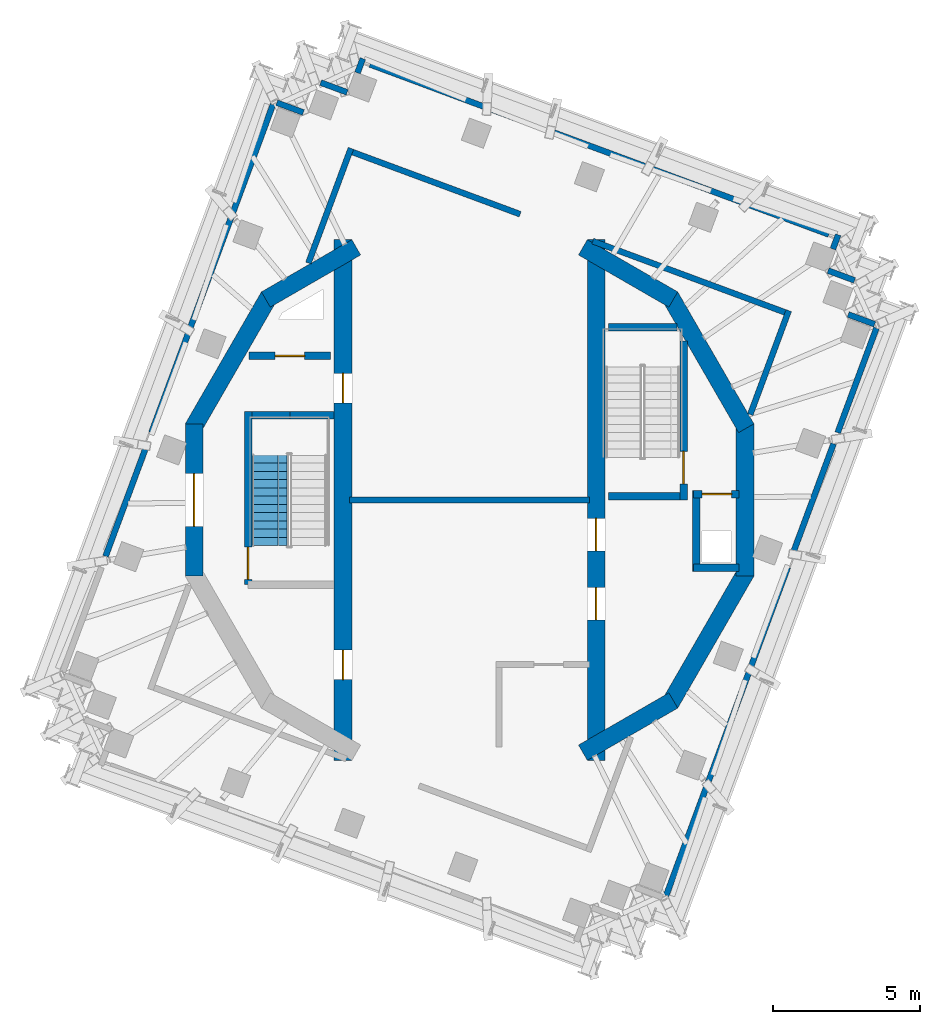
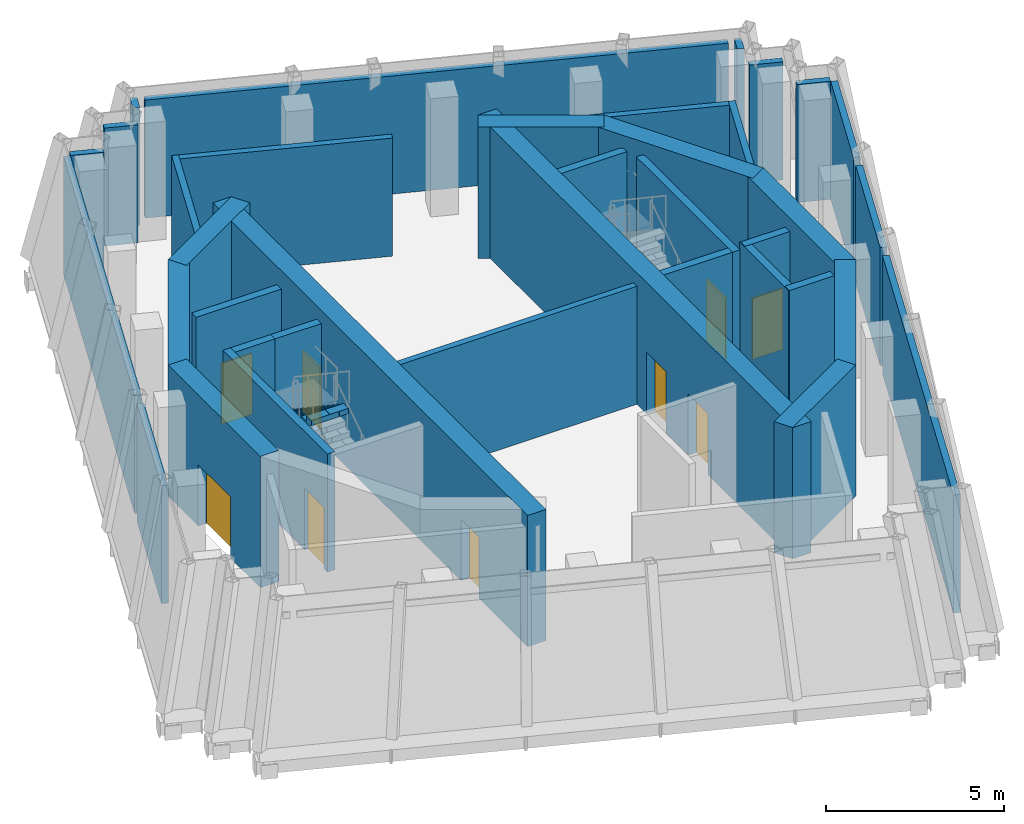
# One storey, part 5 of 11: 37 walls, 9 doors, 1 stair flight, 9 openings, 1 element without a shape of its own.
"""IFC4 building model written with IfcOpenShell, lengths in metres."""

import ifcopenshell
import ifcopenshell.guid

model = None  # the IFC model being written
_history = None  # IfcOwnerHistory: only IFC2X3 demands one
_inside = {}  # id of a spatial element -> (the spatial element, [elements in it])
_under = {}  # id of a project, library or spatial element -> (it, [spatial elements below it])
_declared = {}  # id of a project -> (the project, [libraries it declares])
_typed = {}  # id of a type object -> (the type object, [elements of that type])
_made_of = {}  # id of a material, layer set ... -> (it, [elements and type objects made of it])


def new_model(schema):
    """Start an empty IFC model of exactly this schema.

    Asked for "IFC4X3", IfcOpenShell would pick the latest addendum, in which some entities
    have other attributes; the version numbers below select the first issue.
    IFC2X3 requires an IfcOwnerHistory on every rooted entity: one is made here for all.
    """
    global model, _history
    if schema == "IFC4X3":
        model = ifcopenshell.file(schema_version=(4, 3, 0, 0))
    else:
        model = ifcopenshell.file(schema=schema)
    _inside.clear()
    _under.clear()
    _declared.clear()
    _typed.clear()
    _made_of.clear()
    _history = None
    if model.schema == "IFC2X3":
        org = make("IfcOrganization", Name="unknown")
        user = make(
            "IfcPersonAndOrganization",
            ThePerson=make("IfcPerson", FamilyName="unknown"),
            TheOrganization=org,
        )
        app = make(
            "IfcApplication",
            ApplicationDeveloper=org,
            Version="unknown",
            ApplicationFullName="unknown",
            ApplicationIdentifier="unknown",
        )
        _history = make(
            "IfcOwnerHistory",
            OwningUser=user,
            OwningApplication=app,
            ChangeAction="ADDED",
            CreationDate=0,
        )
    return model


def make(cls, **values):
    """One entity of the class cls with the attributes given. An attribute that is None is left unset."""
    return model.create_entity(
        cls, **{name: value for name, value in values.items() if value is not None}
    )


def rooted(cls, **values):
    """An entity with a GlobalId (a new one), such as an element, a storey or a relation."""
    return make(cls, GlobalId=ifcopenshell.guid.new(), OwnerHistory=_history, **values)


def si_unit(unit_type, name, prefix=None):
    """IfcSIUnit, for example si_unit("LENGTHUNIT", "METRE", prefix="MILLI")."""
    return make("IfcSIUnit", UnitType=unit_type, Prefix=prefix, Name=name)


def assignment(units):
    """IfcUnitAssignment: the units of a project."""
    return None if units is None else make("IfcUnitAssignment", Units=units)


def point(xyz):
    """IfcCartesianPoint."""
    return None if xyz is None else make("IfcCartesianPoint", Coordinates=xyz)


def direction(xyz):
    """IfcDirection."""
    return None if xyz is None else make("IfcDirection", DirectionRatios=xyz)


def frame(location, z_axis=None, x_axis=None):
    """IfcAxis2Placement3D, a coordinate frame: its origin and axes. An axis left out is left unset."""
    return make(
        "IfcAxis2Placement3D",
        Location=point(location),
        Axis=direction(z_axis),
        RefDirection=direction(x_axis),
    )


def frame_2d(location, x_axis=None):
    """IfcAxis2Placement2D, a coordinate frame in the plane: its origin and x axis."""
    return make(
        "IfcAxis2Placement2D", Location=point(location), RefDirection=direction(x_axis)
    )


def origin():
    """The frame at (0, 0, 0) with its axes left unset."""
    return frame((0.0, 0.0, 0.0))


def place(relative_to, where):
    """IfcLocalPlacement: puts the frame where relative to a parent placement (None: the world)."""
    return make(
        "IfcLocalPlacement", PlacementRelTo=relative_to, RelativePlacement=where
    )


def context(
    kind, dimensions, precision=None, world=None, true_north=None, identifier=None
):
    """IfcGeometricRepresentationContext, for example the 3D "Model" context."""
    return make(
        "IfcGeometricRepresentationContext",
        ContextIdentifier=identifier,
        ContextType=kind,
        CoordinateSpaceDimension=dimensions,
        Precision=precision,
        WorldCoordinateSystem=world,
        TrueNorth=true_north,
    )


def subcontext(parent, identifier, kind, view, scale=None):
    """IfcGeometricRepresentationSubContext, for example "Body" below "Model"."""
    return make(
        "IfcGeometricRepresentationSubContext",
        ContextIdentifier=identifier,
        ContextType=kind,
        ParentContext=parent,
        TargetScale=scale,
        TargetView=view,
    )


def project(units=None, contexts=None):
    """IfcProject with its units and contexts."""
    return rooted(
        "IfcProject",
        Name="project",
        RepresentationContexts=contexts,
        UnitsInContext=assignment(units),
    )


def spatial(cls, under=None, at=None, **own):
    """A site, building, storey or space (cls), placed at a placement, below another one or the project."""
    s = rooted(cls, ObjectPlacement=at, **own)
    if under is not None:
        _under.setdefault(under.id(), (under, []))[1].append(s)
    return s


def polyline(points):
    """IfcPolyline through the points."""
    return make("IfcPolyline", Points=[point(p) for p in points])


def profile(cls, at=None, kind="AREA", **sizes):
    """A parametric profile (cls). Its sizes go by their IFC names, for example OverallWidth=200.0."""
    return make(cls, ProfileType=kind, Position=at, **sizes)


def rectangle(**sizes):
    """IfcRectangleProfileDef."""
    return profile("IfcRectangleProfileDef", **sizes)


def outline(outer, holes=None, kind="AREA"):
    """IfcArbitraryClosedProfileDef: a profile drawn as a closed curve; with holes, ...WithVoids."""
    if holes is None:
        return make("IfcArbitraryClosedProfileDef", ProfileType=kind, OuterCurve=outer)
    return make(
        "IfcArbitraryProfileDefWithVoids",
        ProfileType=kind,
        OuterCurve=outer,
        InnerCurves=holes,
    )


def extrude(swept, where, along, depth):
    """IfcExtrudedAreaSolid: the profile swept, set in the frame where, extruded along a direction by depth."""
    return make(
        "IfcExtrudedAreaSolid",
        SweptArea=swept,
        Position=where,
        ExtrudedDirection=direction(along),
        Depth=depth,
    )


def shape(context_of_items, identifier, shape_type, items):
    """IfcShapeRepresentation: the items that make up one representation, for example the "Body"."""
    return make(
        "IfcShapeRepresentation",
        ContextOfItems=context_of_items,
        RepresentationIdentifier=identifier,
        RepresentationType=shape_type,
        Items=items,
    )


def material(Name=None, Category=None):
    """IfcMaterial."""
    return make("IfcMaterial", Name=Name, Category=Category)


def layer(
    of_material, thickness, ventilated=None, Name=None, Category=None, Priority=None
):
    """IfcMaterialLayer: one layer of a wall or slab, of a material (None: an air gap)."""
    return make(
        "IfcMaterialLayer",
        Material=of_material,
        LayerThickness=thickness,
        IsVentilated=ventilated,
        Name=Name,
        Category=Category,
        Priority=Priority,
    )


def layer_set(layers, Name=None):
    """IfcMaterialLayerSet."""
    return make("IfcMaterialLayerSet", MaterialLayers=layers, LayerSetName=Name)


def made_of(thing, what):
    """Note that an element or type object is made of a material, layer set ...; save() writes the relation."""
    if what is not None:
        _made_of.setdefault(what.id(), (what, []))[1].append(thing)
    return thing


def type_object(cls, material=None, **own):
    """A type object (cls), such as IfcWallType, which elements share."""
    return made_of(rooted(cls, **own), material)


def element(
    cls,
    number,
    at=None,
    inside=None,
    cuts=None,
    type_object=None,
    material=None,
    context=None,
    identifier="Body",
    shape_type=None,
    held_by="IfcProductDefinitionShape",
    body=None,
    shapes=None,
    **own,
):
    """One element of the class cls, such as IfcWall. Its Tag is "e" and its number.

    at: its placement. inside: the storey or other place that contains it. cuts: it is an
    opening in that element (IfcRelVoidsElement). A single representation is given by context,
    identifier, shape_type and body (its items); several are given by shapes. held_by: the class
    of the entity that holds the representations. save() writes the other relations.
    """
    e = rooted(cls, Tag="e%d" % number, ObjectPlacement=at, **own)
    if body is not None:
        shapes = [shape(context, identifier, shape_type, body)]
    if shapes is not None:
        e.Representation = make(held_by, Representations=shapes)
    if inside is not None:
        _inside.setdefault(inside.id(), (inside, []))[1].append(e)
    if cuts is not None:
        rooted(
            "IfcRelVoidsElement", RelatingBuildingElement=cuts, RelatedOpeningElement=e
        )
    if type_object is not None:
        _typed.setdefault(type_object.id(), (type_object, []))[1].append(e)
    return made_of(e, material)


def fill(opening, filler):
    """IfcRelFillsElement: the door or window that sits in an opening."""
    return rooted(
        "IfcRelFillsElement",
        RelatingOpeningElement=opening,
        RelatedBuildingElement=filler,
    )


def aggregate(whole, parts):
    """IfcRelAggregates: a whole, such as a stair, and the parts it consists of."""
    return rooted("IfcRelAggregates", RelatingObject=whole, RelatedObjects=parts)


def save(model, path):
    """Write the relations noted so far, then the file.

    IfcRelAggregates (storeys below a building ...), IfcRelContainedInSpatialStructure (elements
    in a storey), IfcRelDefinesByType, IfcRelAssociatesMaterial and IfcRelDeclares: one each for
    every whole, place, type object, material and project.
    """
    for whole, parts in _under.values():
        aggregate(whole, parts)
    for where, things in _inside.values():
        rooted(
            "IfcRelContainedInSpatialStructure",
            RelatedElements=things,
            RelatingStructure=where,
        )
    for kind, things in _typed.values():
        rooted("IfcRelDefinesByType", RelatedObjects=things, RelatingType=kind)
    for what, things in _made_of.values():
        rooted("IfcRelAssociatesMaterial", RelatedObjects=things, RelatingMaterial=what)
    for by, libraries in _declared.values():
        rooted("IfcRelDeclares", RelatingContext=by, RelatedDefinitions=libraries)
    model.write(path)


model = new_model("IFC4")

# Units and contexts
model_context = context("Model", 3, precision=1e-05, world=origin(), true_north=direction((0.0, 1.0)))
body_context = subcontext(model_context, "Body", "Model", "MODEL_VIEW")
ifc_project = project(units=[si_unit("LENGTHUNIT", "METRE"), si_unit("AREAUNIT", "SQUARE_METRE"), si_unit("VOLUMEUNIT", "CUBIC_METRE"), si_unit("PLANEANGLEUNIT", "RADIAN"), si_unit("MASSUNIT", "GRAM", prefix="KILO")], contexts=[model_context])

# Site, building, storey
site_placement = place(None, origin())
site = spatial("IfcSite", under=ifc_project, at=site_placement, CompositionType="ELEMENT")
building_placement = place(site_placement, origin())
building = spatial("IfcBuilding", under=site, at=building_placement, Name="Cantera Rosa Tower", CompositionType="ELEMENT")
storey_placement = place(building_placement, frame((0.0, 0.0, 365.199951171875)))
storey = spatial("IfcBuildingStorey", under=building, at=storey_placement, Name="L82", CompositionType="ELEMENT", Elevation=365.199951171875)

# Walls
ifc_material_1 = material(Name="Masonry blockwork", Category="masonry")
ifc_layer_1 = layer(ifc_material_1, 0.199951171875)
ifc_layer_set_1 = layer_set([ifc_layer_1], Name="Blockwork partition 200")
wall_type_1 = type_object("IfcWallType", Name="Blockwork partition 200", PredefinedType="PARTITIONING", material=ifc_layer_set_1)
wall_1_placement = place(storey_placement, frame((12.343994140625, 8.526611328125, 0.0), z_axis=(0.0, 0.0, 1.0), x_axis=(0.347545352018, 0.937663174221, 0.0)))
element("IfcWall", 1, at=wall_1_placement, inside=storey, type_object=wall_type_1, Name="Partition L82-4", PredefinedType="PARTITIONING", context=body_context, shape_type="SweptSolid", body=[
    extrude(rectangle(XDim=0.516357421875, YDim=0.199951171875, at=frame_2d((0.25830078125, 0.0))), origin(), (0.0, 0.0, 1.0), 4.050048828125),
])
wall_2_placement = place(storey_placement, frame((-3.806640625, 14.511474609375, 0.0), z_axis=(0.0, 0.0, 1.0), x_axis=(0.347391322771, 0.937720250855, 0.0)))
element("IfcWall", 2, at=wall_2_placement, inside=storey, type_object=wall_type_1, Name="Partition L82-7", PredefinedType="PARTITIONING", context=body_context, shape_type="SweptSolid", body=[
    extrude(rectangle(XDim=0.5166015625, YDim=0.199951171875, at=frame_2d((0.25830078125, 0.0))), origin(), (0.0, 0.0, 1.0), 4.050048828125),
])
wall_3_placement = place(storey_placement, frame((-12.3671875, -1.91259765625, 0.0), z_axis=(0.0, 0.0, 1.0), x_axis=(0.347474184569, 0.937689549402, 0.0)))
element("IfcWall", 3, at=wall_3_placement, inside=storey, type_object=wall_type_1, Name="Partition L82-11", PredefinedType="PARTITIONING", context=body_context, shape_type="SweptSolid", body=[
    extrude(rectangle(XDim=4.079345703125, YDim=0.199951171875, at=frame_2d((2.03955078125, 0.0))), origin(), (0.0, 0.0, 1.0), 4.050048828125),
])
wall_4_placement = place(storey_placement, frame((-10.810791015625, 2.28759765625, 0.0), z_axis=(0.0, 0.0, 1.0), x_axis=(0.347494207157, 0.937682129504, 0.0)))
element("IfcWall", 4, at=wall_4_placement, inside=storey, type_object=wall_type_1, Name="Partition L82-12", PredefinedType="PARTITIONING", context=body_context, shape_type="SweptSolid", body=[
    extrude(rectangle(XDim=11.892578125, YDim=0.199951171875, at=frame_2d((5.9462890625, 0.0))), origin(), (0.0, 0.0, 1.0), 4.050048828125),
])
for number, where, z_axis, x_axis, name in (
    (5, (13.76416015625, 5.97021484375, 0.0), (0.0, 0.0, 1.0), (-0.937711940607, 0.347413753965, 0.0), "Partition L82-13"),
    (6, (-5.649658203125, 13.16455078125, 0.0), (0.0, 0.0, 1.0), (-0.937711940607, 0.347413753965, 0.0), "Partition L82-14"),
    (7, (13.07958984375, 7.4609375, 0.0), (0.0, 0.0, 1.0), (-0.937629067404, 0.347637356968, 0.0), "Partition L82-15"),
):
    element("IfcWall", number, at=place(storey_placement, frame(where, z_axis=z_axis, x_axis=x_axis)), inside=storey, type_object=wall_type_1, Name=name, PredefinedType="PARTITIONING", context=body_context, shape_type="SweptSolid", body=[
        extrude(rectangle(XDim=0.9599609375, YDim=0.199951171875, at=frame_2d((0.47998046875, 0.0))), origin(), (0.0, 0.0, 1.0), 4.050048828125),
    ])
wall_5_placement = place(storey_placement, frame((-4.15869140625, 13.84912109375, 0.0), z_axis=(0.0, 0.0, 1.0), x_axis=(-0.937742626232, 0.347330918501, 0.0)))
element("IfcWall", 8, at=wall_5_placement, inside=storey, type_object=wall_type_1, Name="Partition L82-16", PredefinedType="PARTITIONING", context=body_context, shape_type="SweptSolid", body=[
    extrude(rectangle(XDim=0.960205078125, YDim=0.199951171875, at=frame_2d((0.47998046875, 0.0))), origin(), (0.0, 0.0, 1.0), 4.050048828125),
])
wall_6_placement = place(storey_placement, frame((12.20751953125, 9.021240234375, 0.0), z_axis=(0.0, 0.0, 1.0), x_axis=(-0.937685501547, 0.347485107866, 0.0)))
element("IfcWall", 9, at=wall_6_placement, inside=storey, type_object=wall_type_1, Name="Partition L82-17", PredefinedType="PARTITIONING", context=body_context, shape_type="SweptSolid", body=[
    extrude(rectangle(XDim=16.6240234375, YDim=0.199951171875, at=frame_2d((8.31201171875, 0.0))), origin(), (0.0, 0.0, 1.0), 4.050048828125),
])
wall_7_placement = place(storey_placement, frame((6.67822265625, -13.43896484375, 0.0), z_axis=(0.0, 0.0, 1.0), x_axis=(0.347494207157, 0.937682129504, 0.0)))
element("IfcWall", 10, at=wall_7_placement, inside=storey, type_object=wall_type_1, Name="Partition L82-18", PredefinedType="PARTITIONING", context=body_context, shape_type="SweptSolid", body=[
    extrude(rectangle(XDim=11.892578125, YDim=0.199951171875, at=frame_2d((5.9462890625, 0.0))), origin(), (0.0, 0.0, 1.0), 4.050048828125),
])
wall_8_placement = place(storey_placement, frame((10.94970703125, -1.91259765625, 0.0), z_axis=(0.0, 0.0, 1.0), x_axis=(0.347474184569, 0.937689549402, 0.0)))
element("IfcWall", 11, at=wall_8_placement, inside=storey, type_object=wall_type_1, Name="Partition L82-19", PredefinedType="PARTITIONING", context=body_context, shape_type="SweptSolid", body=[
    extrude(rectangle(XDim=4.079345703125, YDim=0.199951171875, at=frame_2d((2.03955078125, 0.0))), origin(), (0.0, 0.0, 1.0), 4.050048828125),
])
wall_9_placement = place(storey_placement, frame((12.506103515625, 2.28759765625, 0.0), z_axis=(0.0, 0.0, 1.0), x_axis=(0.347492662274, 0.937682702019, 0.0)))
element("IfcWall", 12, at=wall_9_placement, inside=storey, type_object=wall_type_1, Name="Partition L82-20", PredefinedType="PARTITIONING", context=body_context, shape_type="SweptSolid", body=[
    extrude(rectangle(XDim=3.79052734375, YDim=0.199951171875, at=frame_2d((1.895263671875, 0.0))), origin(), (0.0, 0.0, 1.0), 4.050048828125),
])
wall_10_placement = place(storey_placement, frame((-5.47607421875, 8.049560546875, 0.0), z_axis=(0.0, 0.0, 1.0), x_axis=(0.347476980146, 0.937688513457, 0.0)))
element("IfcWall", 13, at=wall_10_placement, inside=storey, type_object=wall_type_1, Name="Partition L82-22", PredefinedType="PARTITIONING", context=body_context, shape_type="SweptSolid", body=[
    extrude(rectangle(XDim=4.156005859375, YDim=0.199951171875, at=frame_2d((2.078125, 0.0))), origin(), (0.0, 0.0, 1.0), 4.050048828125),
])
wall_11_placement = place(storey_placement, frame((9.534912109375, 2.9033203125, 0.0), z_axis=(0.0, 0.0, 1.0), x_axis=(0.347525516493, 0.93767052603, 0.0)))
element("IfcWall", 14, at=wall_11_placement, inside=storey, type_object=wall_type_1, Name="Partition L82-25", PredefinedType="PARTITIONING", context=body_context, shape_type="SweptSolid", body=[
    extrude(rectangle(XDim=3.765380859375, YDim=0.199951171875, at=frame_2d((1.8828125, 0.0))), origin(), (0.0, 0.0, 1.0), 4.050048828125),
])
wall_12_placement = place(storey_placement, frame((10.71484375, 6.375, 0.0), z_axis=(0.0, 0.0, 1.0), x_axis=(-0.937681065631, 0.347497077911, 0.0)))
element("IfcWall", 15, at=wall_12_placement, inside=storey, type_object=wall_type_1, Name="Partition L82-26", PredefinedType="PARTITIONING", context=body_context, shape_type="SweptSolid", body=[
    extrude(rectangle(XDim=6.96240234375, YDim=0.199951171875, at=frame_2d((3.481201171875, 0.0))), origin(), (0.0, 0.0, 1.0), 4.050048828125),
])
wall_13_placement = place(storey_placement, frame((1.71728515625, 9.709228515625, 0.0), z_axis=(0.0, 0.0, 1.0), x_axis=(-0.937673031606, 0.347518756039, 0.0)))
element("IfcWall", 16, at=wall_13_placement, inside=storey, type_object=wall_type_1, Name="Partition L82-26x1", PredefinedType="PARTITIONING", context=body_context, shape_type="SweptSolid", body=[
    extrude(rectangle(XDim=6.068359375, YDim=0.199951171875, at=frame_2d((3.0341796875, 0.0))), origin(), (0.0, 0.0, 1.0), 4.050048828125),
])
wall_14_placement = place(storey_placement, frame((-4.074951171875, 0.0, 0.0), z_axis=(0.0, 0.0, 1.0), x_axis=(1.0, 0.0, 0.0)))
element("IfcWall", 17, at=wall_14_placement, inside=storey, type_object=wall_type_1, Name="Partition L82-SLOT", PredefinedType="PARTITIONING", context=body_context, shape_type="SweptSolid", body=[
    extrude(rectangle(XDim=8.14990234375, YDim=0.199951171875, at=frame_2d((4.074951171875, 0.0))), origin(), (0.0, 0.0, 1.0), 4.050048828125),
])

# Wall, opening, door
ifc_material_2 = material(Name="Masonry blockwork", Category="masonry")
ifc_layer_2 = layer(ifc_material_2, 0.25)
ifc_layer_set_2 = layer_set([ifc_layer_2], Name="Fire-rated wall 250")
wall_type_2 = type_object("IfcWallType", Name="Fire-rated wall 250", PredefinedType="PARTITIONING", material=ifc_layer_set_2)
wall_15_placement = place(storey_placement, frame((-7.4873046875, 4.89990234375, 0.0), z_axis=(0.0, 0.0, 1.0), x_axis=(1.0, 0.0, 0.0)))
wall_15 = element("IfcWall", 18, at=wall_15_placement, inside=storey, type_object=wall_type_2, Name="Fire wall L82-SVC", PredefinedType="PARTITIONING", context=body_context, shape_type="SweptSolid", body=[
    extrude(rectangle(XDim=2.76220703125, YDim=0.25, at=frame_2d((1.381103515625, 0.0))), origin(), (0.0, 0.0, 1.0), 4.050048828125),
])
opening_1_placement = place(wall_15_placement, frame((0.881103515625, 0.0, 0.0)))
opening_1 = element("IfcOpeningElement", 19, at=opening_1_placement, cuts=wall_15, Name="Opening L82-SV", PredefinedType="OPENING", context=body_context, shape_type="SweptSolid", body=[
    extrude(rectangle(XDim=1.0, YDim=2.10009765625, at=frame_2d((0.5, 1.050048828125))), frame((0.0, 0.135009765625, 0.0), z_axis=(0.0, -1.0, 0.0), x_axis=(1.0, 0.0, 0.0)), (0.0, 0.0, 1.0), 0.27001953125),
])
ifc_material_3 = material(Name="Steel S355J2 (EN 10025-2)", Category="steel")
door_type_1 = type_object("IfcDoorType", Name="Fire door 1000x2100", OperationType="NOTDEFINED", PredefinedType="DOOR", material=ifc_material_3)
door_1_placement = place(opening_1_placement, origin())
door_1 = element("IfcDoor", 20, at=door_1_placement, inside=storey, type_object=door_type_1, Name="Door L82-SV", OverallHeight=2.10009765625, OverallWidth=1.0, PredefinedType="DOOR", context=body_context, shape_type="SweptSolid", body=[
    extrude(rectangle(XDim=1.0, YDim=2.10009765625, at=frame_2d((0.5, 1.050048828125))), frame((0.0, 0.02490234375, 0.0), z_axis=(0.0, -1.0, 0.0), x_axis=(1.0, 0.0, 0.0)), (0.0, 0.0, 1.0), 0.050048828125),
])
fill(opening_1, door_1)

wall_16_placement = place(storey_placement, frame((7.60009765625, 0.199951171875, 0.0), z_axis=(0.0, 0.0, 1.0), x_axis=(1.0, 0.0, 0.0)))
wall_16 = element("IfcWall", 21, at=wall_16_placement, inside=storey, type_object=wall_type_2, Name="Fire wall L82-RISER-N", PredefinedType="PARTITIONING", context=body_context, shape_type="SweptSolid", body=[
    extrude(rectangle(XDim=1.5498046875, YDim=0.25, at=frame_2d((0.77490234375, 0.0))), origin(), (0.0, 0.0, 1.0), 4.050048828125),
])
opening_2_placement = place(wall_16_placement, frame((0.300048828125, 0.0, 0.0)))
opening_2 = element("IfcOpeningElement", 22, at=opening_2_placement, cuts=wall_16, Name="Opening L82-RF", PredefinedType="OPENING", context=body_context, shape_type="SweptSolid", body=[
    extrude(rectangle(XDim=1.0, YDim=2.10009765625, at=frame_2d((0.5, 1.050048828125))), frame((0.0, 0.135009765625, 0.0), z_axis=(0.0, -1.0, 0.0), x_axis=(1.0, 0.0, 0.0)), (0.0, 0.0, 1.0), 0.27001953125),
])
door_2_placement = place(opening_2_placement, origin())
door_2 = element("IfcDoor", 23, at=door_2_placement, inside=storey, type_object=door_type_1, Name="Door L82-RF", OverallHeight=2.10009765625, OverallWidth=1.0, PredefinedType="DOOR", context=body_context, shape_type="SweptSolid", body=[
    extrude(rectangle(XDim=1.0, YDim=2.10009765625, at=frame_2d((0.5, 1.050048828125))), frame((0.0, 0.02490234375, 0.0), z_axis=(0.0, -1.0, 0.0), x_axis=(1.0, 0.0, 0.0)), (0.0, 0.0, 1.0), 0.050048828125),
])
fill(opening_2, door_2)

# Walls
wall_17_placement = place(storey_placement, frame((7.699951171875, -2.425048828125, 0.0), z_axis=(0.0, 0.0, 1.0), x_axis=(0.0, 1.0, 0.0)))
element("IfcWall", 24, at=wall_17_placement, inside=storey, type_object=wall_type_2, Name="Fire wall L82-RISER-W", PredefinedType="PARTITIONING", context=body_context, shape_type="SweptSolid", body=[
    extrude(rectangle(XDim=2.75, YDim=0.25, at=frame_2d((1.375, 0.0))), origin(), (0.0, 0.0, 1.0), 4.050048828125),
])
wall_18_placement = place(storey_placement, frame((7.60009765625, -2.300048828125, 0.0), z_axis=(0.0, 0.0, 1.0), x_axis=(1.0, 0.0, 0.0)))
element("IfcWall", 25, at=wall_18_placement, inside=storey, type_object=wall_type_2, Name="Fire wall L82-RISER-S", PredefinedType="PARTITIONING", context=body_context, shape_type="SweptSolid", body=[
    extrude(rectangle(XDim=1.5498046875, YDim=0.25, at=frame_2d((0.77490234375, 0.0))), origin(), (0.0, 0.0, 1.0), 4.050048828125),
])

# Wall, opening, door
ifc_material_4 = material(Name="Concrete C50/60", Category="concrete")
ifc_layer_3 = layer(ifc_material_4, 0.60009765625)
ifc_layer_set_3 = layer_set([ifc_layer_3], Name="RC CORE WALL 600 C50/60")
wall_type_3 = type_object("IfcWallType", Name="RC CORE WALL 600 C50/60", PredefinedType="SHEAR", material=ifc_layer_set_3)
wall_19_placement = place(storey_placement, frame((-9.359375, -2.588134765625, 0.0), z_axis=(0.0, 0.0, 1.0), x_axis=(0.0, 1.0, 0.0)))
wall_19 = element("IfcWall", 26, at=wall_19_placement, inside=storey, type_object=wall_type_3, Name="CW-W3 L82", PredefinedType="SHEAR", context=body_context, shape_type="SweptSolid", body=[
    extrude(rectangle(XDim=5.17626953125, YDim=0.60009765625, at=frame_2d((2.588134765625, 0.0))), origin(), (0.0, 0.0, 1.0), 4.5),
])
opening_3_placement = place(wall_19_placement, frame((1.688232421875, 0.0, 0.0)))
opening_3 = element("IfcOpeningElement", 27, at=opening_3_placement, cuts=wall_19, Name="Opening L82-ST-71-L", PredefinedType="OPENING", context=body_context, shape_type="SweptSolid", body=[
    extrude(rectangle(XDim=1.800048828125, YDim=2.10009765625, at=frame_2d((0.89990234375, 1.050048828125))), frame((0.0, 0.31005859375, 0.0), z_axis=(0.0, -1.0, 0.0), x_axis=(1.0, 0.0, 0.0)), (0.0, 0.0, 1.0), 0.6201171875),
])
ifc_material_5 = material(Name="Steel S355J2 (EN 10025-2)", Category="steel")
door_type_2 = type_object("IfcDoorType", Name="FIRE DOOR 1800x2100", OperationType="NOTDEFINED", PredefinedType="DOOR", material=ifc_material_5)
door_3_placement = place(opening_3_placement, origin())
door_3 = element("IfcDoor", 28, at=door_3_placement, inside=storey, type_object=door_type_2, Name="DOOR L82-ST-71-L", OperationType="NOTDEFINED", OverallHeight=2.10009765625, OverallWidth=1.800048828125, PredefinedType="DOOR", context=body_context, shape_type="SweptSolid", body=[
    extrude(rectangle(XDim=1.800048828125, YDim=2.10009765625, at=frame_2d((0.89990234375, 1.050048828125))), frame((0.0, 0.02490234375, 0.0), z_axis=(0.0, -1.0, 0.0), x_axis=(1.0, 0.0, 0.0)), (0.0, 0.0, 1.0), 0.050048828125),
])
fill(opening_3, door_3)

# Walls
wall_20_placement = place(storey_placement, frame((-9.3994140625, 2.438232421875, 0.0), z_axis=(0.0, 0.0, 1.0), x_axis=(0.499989188378, 0.866031645787, 0.0)))
element("IfcWall", 29, at=wall_20_placement, inside=storey, type_object=wall_type_3, Name="CW-W4 L82", PredefinedType="SHEAR", context=body_context, shape_type="SweptSolid", body=[
    extrude(rectangle(XDim=5.17626953125, YDim=0.60009765625, at=frame_2d((2.588134765625, 0.0))), origin(), (0.0, 0.0, 1.0), 4.5),
])
wall_21_placement = place(storey_placement, frame((-6.921142578125, 6.811279296875, 0.0), z_axis=(0.0, 0.0, 1.0), x_axis=(0.866039982607, 0.499974747889, 0.0)))
element("IfcWall", 30, at=wall_21_placement, inside=storey, type_object=wall_type_3, Name="CW-W5 L82", PredefinedType="SHEAR", context=body_context, shape_type="SweptSolid", body=[
    extrude(rectangle(XDim=3.546142578125, YDim=0.60009765625, at=frame_2d((1.77294921875, 0.0))), origin(), (0.0, 0.0, 1.0), 4.5),
])

# Wall, openings, doors
wall_22_placement = place(storey_placement, frame((-4.300048828125, 8.84423828125, 0.0), z_axis=(0.0, 0.0, 1.0), x_axis=(0.0, -1.0, 0.0)))
wall_22 = element("IfcWall", 31, at=wall_22_placement, inside=storey, type_object=wall_type_3, Name="CW-W6 L82", PredefinedType="SHEAR", context=body_context, shape_type="SweptSolid", body=[
    extrude(rectangle(XDim=17.6884765625, YDim=0.60009765625, at=frame_2d((8.84423828125, 0.0))), origin(), (0.0, 0.0, 1.0), 4.5),
])
opening_4_placement = place(wall_22_placement, frame((4.5439453125, 0.0, 0.0)))
opening_4 = element("IfcOpeningElement", 32, at=opening_4_placement, cuts=wall_22, Name="Opening L82-SN", PredefinedType="OPENING", context=body_context, shape_type="SweptSolid", body=[
    extrude(rectangle(XDim=1.0, YDim=2.10009765625, at=frame_2d((0.5, 1.050048828125))), frame((0.0, 0.31005859375, 0.0), z_axis=(0.0, -1.0, 0.0), x_axis=(1.0, 0.0, 0.0)), (0.0, 0.0, 1.0), 0.6201171875),
])
opening_5_placement = place(wall_22_placement, frame((13.944091796875, 0.0, 0.0)))
opening_5 = element("IfcOpeningElement", 33, at=opening_5_placement, cuts=wall_22, Name="Opening L82-SS", PredefinedType="OPENING", context=body_context, shape_type="SweptSolid", body=[
    extrude(rectangle(XDim=1.0, YDim=2.10009765625, at=frame_2d((0.5, 1.050048828125))), frame((0.0, 0.31005859375, 0.0), z_axis=(0.0, -1.0, 0.0), x_axis=(1.0, 0.0, 0.0)), (0.0, 0.0, 1.0), 0.6201171875),
])
door_4_placement = place(opening_4_placement, origin())
door_4 = element("IfcDoor", 34, at=door_4_placement, inside=storey, type_object=door_type_1, Name="Door L82-SN", OverallHeight=2.10009765625, OverallWidth=1.0, PredefinedType="DOOR", context=body_context, shape_type="SweptSolid", body=[
    extrude(rectangle(XDim=1.0, YDim=2.10009765625, at=frame_2d((0.5, 1.050048828125))), frame((0.0, 0.02490234375, 0.0), z_axis=(0.0, -1.0, 0.0), x_axis=(1.0, 0.0, 0.0)), (0.0, 0.0, 1.0), 0.050048828125),
])
fill(opening_4, door_4)
door_5_placement = place(opening_5_placement, origin())
door_5 = element("IfcDoor", 35, at=door_5_placement, inside=storey, type_object=door_type_1, Name="Door L82-SS", OverallHeight=2.10009765625, OverallWidth=1.0, PredefinedType="DOOR", context=body_context, shape_type="SweptSolid", body=[
    extrude(rectangle(XDim=1.0, YDim=2.10009765625, at=frame_2d((0.5, 1.050048828125))), frame((0.0, 0.02490234375, 0.0), z_axis=(0.0, -1.0, 0.0), x_axis=(1.0, 0.0, 0.0)), (0.0, 0.0, 1.0), 0.050048828125),
])
fill(opening_5, door_5)

# Walls
wall_23_placement = place(storey_placement, frame((3.85009765625, 8.584228515625, 0.0), z_axis=(0.0, 0.0, 1.0), x_axis=(0.866039982607, -0.499974747889, 0.0)))
element("IfcWall", 36, at=wall_23_placement, inside=storey, type_object=wall_type_3, Name="CW-E1 L82", PredefinedType="SHEAR", context=body_context, shape_type="SweptSolid", body=[
    extrude(rectangle(XDim=3.546142578125, YDim=0.60009765625, at=frame_2d((1.77294921875, 0.0))), origin(), (0.0, 0.0, 1.0), 4.5),
])
for number, where, z_axis, x_axis, name in (
    (37, (6.811279296875, 6.921142578125, 0.0), (0.0, 0.0, 1.0), (0.499989188378, -0.866031645787, 0.0), "CW-E2 L82"),
    (38, (9.359375, 2.588134765625, 0.0), (0.0, 0.0, 1.0), (0.0, -1.0, 0.0), "CW-E3 L82"),
    (39, (9.3994140625, -2.438232421875, 0.0), (0.0, 0.0, 1.0), (-0.499989188378, -0.866031645787, 0.0), "CW-E4 L82"),
):
    element("IfcWall", number, at=place(storey_placement, frame(where, z_axis=z_axis, x_axis=x_axis)), inside=storey, type_object=wall_type_3, Name=name, PredefinedType="SHEAR", context=body_context, shape_type="SweptSolid", body=[
        extrude(rectangle(XDim=5.17626953125, YDim=0.60009765625, at=frame_2d((2.588134765625, 0.0))), origin(), (0.0, 0.0, 1.0), 4.5),
    ])
wall_24_placement = place(storey_placement, frame((6.921142578125, -6.811279296875, 0.0), z_axis=(0.0, 0.0, 1.0), x_axis=(-0.866039982607, -0.499974747889, 0.0)))
element("IfcWall", 40, at=wall_24_placement, inside=storey, type_object=wall_type_3, Name="CW-E5 L82", PredefinedType="SHEAR", context=body_context, shape_type="SweptSolid", body=[
    extrude(rectangle(XDim=3.546142578125, YDim=0.60009765625, at=frame_2d((1.77294921875, 0.0))), origin(), (0.0, 0.0, 1.0), 4.5),
])

# Wall, openings, doors
wall_25_placement = place(storey_placement, frame((4.300048828125, -8.84423828125, 0.0), z_axis=(0.0, 0.0, 1.0), x_axis=(0.0, 1.0, 0.0)))
wall_25 = element("IfcWall", 41, at=wall_25_placement, inside=storey, type_object=wall_type_3, Name="CW-E6 L82", PredefinedType="SHEAR", context=body_context, shape_type="SweptSolid", body=[
    extrude(rectangle(XDim=17.6884765625, YDim=0.60009765625, at=frame_2d((8.84423828125, 0.0))), origin(), (0.0, 0.0, 1.0), 4.5),
])
opening_6_placement = place(wall_25_placement, frame((4.76904296875, 0.0, 0.0)))
opening_6 = element("IfcOpeningElement", 42, at=opening_6_placement, cuts=wall_25, Name="Opening LD-FF1-L82", PredefinedType="OPENING", context=body_context, shape_type="SweptSolid", body=[
    extrude(rectangle(XDim=1.10009765625, YDim=2.10009765625, at=frame_2d((0.550048828125, 1.050048828125))), frame((0.0, 0.31005859375, 0.0), z_axis=(0.0, -1.0, 0.0), x_axis=(1.0, 0.0, 0.0)), (0.0, 0.0, 1.0), 0.6201171875),
])
opening_7_placement = place(wall_25_placement, frame((7.119140625, 0.0, 0.0)))
opening_7 = element("IfcOpeningElement", 43, at=opening_7_placement, cuts=wall_25, Name="Opening LD-FF2-L82", PredefinedType="OPENING", context=body_context, shape_type="SweptSolid", body=[
    extrude(rectangle(XDim=1.10009765625, YDim=2.10009765625, at=frame_2d((0.550048828125, 1.050048828125))), frame((0.0, 0.31005859375, 0.0), z_axis=(0.0, -1.0, 0.0), x_axis=(1.0, 0.0, 0.0)), (0.0, 0.0, 1.0), 0.6201171875),
])
ifc_material_6 = material(Name="Steel S355J2 (EN 10025-2)", Category="steel")
door_type_3 = type_object("IfcDoorType", Name="LANDING DOOR 1100x2100", OperationType="NOTDEFINED", PredefinedType="DOOR", material=ifc_material_6)
door_6_placement = place(opening_6_placement, origin())
door_6 = element("IfcDoor", 44, at=door_6_placement, inside=storey, type_object=door_type_3, Name="LANDING DOOR FF1 L82", OperationType="SLIDING_TO_LEFT", OverallHeight=2.10009765625, OverallWidth=1.10009765625, PredefinedType="DOOR", context=body_context, shape_type="SweptSolid", body=[
    extrude(rectangle(XDim=1.10009765625, YDim=2.10009765625, at=frame_2d((0.550048828125, 1.050048828125))), frame((0.0, 0.02490234375, 0.0), z_axis=(0.0, -1.0, 0.0), x_axis=(1.0, 0.0, 0.0)), (0.0, 0.0, 1.0), 0.050048828125),
])
fill(opening_6, door_6)
door_7_placement = place(opening_7_placement, origin())
door_7 = element("IfcDoor", 45, at=door_7_placement, inside=storey, type_object=door_type_3, Name="LANDING DOOR FF2 L82", OperationType="SLIDING_TO_LEFT", OverallHeight=2.10009765625, OverallWidth=1.10009765625, PredefinedType="DOOR", context=body_context, shape_type="SweptSolid", body=[
    extrude(rectangle(XDim=1.10009765625, YDim=2.10009765625, at=frame_2d((0.550048828125, 1.050048828125))), frame((0.0, 0.02490234375, 0.0), z_axis=(0.0, -1.0, 0.0), x_axis=(1.0, 0.0, 0.0)), (0.0, 0.0, 1.0), 0.050048828125),
])
fill(opening_7, door_7)

# Wall, opening, door
ifc_material_7 = material(Name="Concrete C50/60", Category="concrete")
ifc_layer_4 = layer(ifc_material_7, 0.25)
ifc_layer_set_4 = layer_set([ifc_layer_4], Name="STAIR WALL 250 H4050")
wall_type_4 = type_object("IfcWallType", Name="STAIR WALL 250 H4050", PredefinedType="SOLIDWALL", material=ifc_layer_set_4)
wall_26_placement = place(storey_placement, frame((-7.52490234375, -2.875, 0.0), z_axis=(0.0, 0.0, 1.0), x_axis=(0.0, 1.0, 0.0)))
wall_26 = element("IfcWall", 46, at=wall_26_placement, inside=storey, type_object=wall_type_4, Name="STAIR WALL ST-71 L82-1", PredefinedType="SOLIDWALL", context=body_context, shape_type="SweptSolid", body=[
    extrude(rectangle(XDim=5.875, YDim=0.25, at=frame_2d((2.9375, 0.0))), origin(), (0.0, 0.0, 1.0), 4.050048828125),
])
opening_8_placement = place(wall_26_placement, frame((0.175048828125, 0.0, 0.0)))
opening_8 = element("IfcOpeningElement", 47, at=opening_8_placement, cuts=wall_26, Name="Opening L82-ST-71", PredefinedType="OPENING", context=body_context, shape_type="SweptSolid", body=[
    extrude(rectangle(XDim=1.10009765625, YDim=2.10009765625, at=frame_2d((0.550048828125, 1.050048828125))), frame((0.0, 0.135009765625, 0.0), z_axis=(0.0, -1.0, 0.0), x_axis=(1.0, 0.0, 0.0)), (0.0, 0.0, 1.0), 0.27001953125),
])
ifc_material_8 = material(Name="Steel S355J2 (EN 10025-2)", Category="steel")
door_type_4 = type_object("IfcDoorType", Name="STAIR DOOR 1100x2100", OperationType="NOTDEFINED", PredefinedType="DOOR", material=ifc_material_8)
door_8_placement = place(opening_8_placement, origin())
door_8 = element("IfcDoor", 48, at=door_8_placement, inside=storey, type_object=door_type_4, Name="DOOR L82-ST-71", OperationType="NOTDEFINED", OverallHeight=2.10009765625, OverallWidth=1.10009765625, PredefinedType="DOOR", context=body_context, shape_type="SweptSolid", body=[
    extrude(rectangle(XDim=1.10009765625, YDim=2.10009765625, at=frame_2d((0.550048828125, 1.050048828125))), frame((0.0, 0.02490234375, 0.0), z_axis=(0.0, -1.0, 0.0), x_axis=(1.0, 0.0, 0.0)), (0.0, 0.0, 1.0), 0.050048828125),
])
fill(opening_8, door_8)

# Walls
wall_27_placement = place(storey_placement, frame((-7.39990234375, 2.875, 0.0), z_axis=(0.0, 0.0, 1.0), x_axis=(1.0, 0.0, 0.0)))
element("IfcWall", 49, at=wall_27_placement, inside=storey, type_object=wall_type_4, Name="STAIR WALL ST-71 L82-2", PredefinedType="SOLIDWALL", context=body_context, shape_type="SweptSolid", body=[
    extrude(rectangle(XDim=1.2998046875, YDim=0.25, at=frame_2d((0.64990234375, 0.0))), origin(), (0.0, 0.0, 1.0), 4.050048828125),
])
wall_28_placement = place(storey_placement, frame((4.72509765625, 5.875, 0.0), z_axis=(0.0, 0.0, 1.0), x_axis=(1.0, 0.0, 0.0)))
element("IfcWall", 50, at=wall_28_placement, inside=storey, type_object=wall_type_4, Name="STAIR WALL ST-72 L82-1", PredefinedType="SOLIDWALL", context=body_context, shape_type="SweptSolid", body=[
    extrude(rectangle(XDim=2.324462890625, YDim=0.25, at=frame_2d((1.162109375, 0.0))), origin(), (0.0, 0.0, 1.0), 4.050048828125),
])

# Wall, opening, door
wall_29_placement = place(storey_placement, frame((7.27490234375, 5.40087890625, 0.0), z_axis=(0.0, 0.0, 1.0), x_axis=(0.0, -1.0, 0.0)))
wall_29 = element("IfcWall", 51, at=wall_29_placement, inside=storey, type_object=wall_type_4, Name="STAIR WALL ST-72 L82-2", PredefinedType="SOLIDWALL", context=body_context, shape_type="SweptSolid", body=[
    extrude(rectangle(XDim=5.40087890625, YDim=0.25, at=frame_2d((2.700439453125, 0.0))), origin(), (0.0, 0.0, 1.0), 4.050048828125),
])
opening_9_placement = place(wall_29_placement, frame((3.7509765625, 0.0, 0.0)))
opening_9 = element("IfcOpeningElement", 52, at=opening_9_placement, cuts=wall_29, Name="Opening L82-ST-72", PredefinedType="OPENING", context=body_context, shape_type="SweptSolid", body=[
    extrude(rectangle(XDim=1.10009765625, YDim=2.10009765625, at=frame_2d((0.550048828125, 1.050048828125))), frame((0.0, 0.135009765625, 0.0), z_axis=(0.0, -1.0, 0.0), x_axis=(1.0, 0.0, 0.0)), (0.0, 0.0, 1.0), 0.27001953125),
])
door_9_placement = place(opening_9_placement, origin())
door_9 = element("IfcDoor", 53, at=door_9_placement, inside=storey, type_object=door_type_4, Name="DOOR L82-ST-72", OperationType="NOTDEFINED", OverallHeight=2.10009765625, OverallWidth=1.10009765625, PredefinedType="DOOR", context=body_context, shape_type="SweptSolid", body=[
    extrude(rectangle(XDim=1.10009765625, YDim=2.10009765625, at=frame_2d((0.550048828125, 1.050048828125))), frame((0.0, 0.02490234375, 0.0), z_axis=(0.0, -1.0, 0.0), x_axis=(1.0, 0.0, 0.0)), (0.0, 0.0, 1.0), 0.050048828125),
])
fill(opening_9, door_9)

# Walls
wall_30_placement = place(storey_placement, frame((7.14990234375, 0.125, 0.0), z_axis=(0.0, 0.0, 1.0), x_axis=(-1.0, 0.0, 0.0)))
element("IfcWall", 54, at=wall_30_placement, inside=storey, type_object=wall_type_4, Name="STAIR WALL ST-72 L82-3", PredefinedType="SOLIDWALL", context=body_context, shape_type="SweptSolid", body=[
    extrude(rectangle(XDim=2.4248046875, YDim=0.25, at=frame_2d((1.21240234375, 0.0))), origin(), (0.0, 0.0, 1.0), 4.050048828125),
])
wall_31_placement = place(storey_placement, frame((-6.10009765625, 2.875, 0.0), z_axis=(0.0, 0.0, 1.0), x_axis=(1.0, 0.0, 0.0)))
element("IfcWall", 55, at=wall_31_placement, inside=storey, type_object=wall_type_4, Name="STAIR WALL ST-71 L82-2 J", PredefinedType="SOLIDWALL", context=body_context, shape_type="SweptSolid", body=[
    extrude(rectangle(XDim=1.5, YDim=0.25, at=frame_2d((0.75, 0.0))), origin(), (0.0, 0.0, 1.0), 4.050048828125),
])

# Stair, stair flight
ifc_material_9 = material(Name="Concrete C35/45", Category="concrete")
stair_type = type_object("IfcStairType", Name="EXIT STAIR 1200 DOGLEG", PredefinedType="HALF_TURN_STAIR", material=ifc_material_9)
stair_placement = place(storey_placement, origin())
stair = element("IfcStair", 56, at=stair_placement, inside=storey, type_object=stair_type, Name="L82 ST-71", PredefinedType="HALF_TURN_STAIR")
ifc_material_10 = material(Name="Concrete C35/45", Category="concrete")
stair_flight_type = type_object("IfcStairFlightType", Name="STAIR FLIGHT 1200 R24x188", PredefinedType="STRAIGHT", material=ifc_material_10)
stair_flight_placement = place(storey_placement, frame((-6.800048828125, 1.530029296875, 2.25), z_axis=(0.0, 0.0, 1.0), x_axis=(0.0, -1.0, 0.0)))
stair_flight = element("IfcStairFlight", 57, at=stair_flight_placement, type_object=stair_flight_type, Name="ST-71 flight 2", NumberOfRisers=12, NumberOfTreads=11, PredefinedType="STRAIGHT", RiserHeight=0.1875, TreadLength=0.28, context=body_context, shape_type="SweptSolid", body=[
    extrude(outline(polyline([(0.0, 0.0), (0.0, 0.1875), (0.280029296875, 0.1875), (0.280029296875, 0.375), (0.56005859375, 0.375), (0.56005859375, 0.5625), (0.840087890625, 0.5625), (0.840087890625, 0.75), (1.1201171875, 0.75), (1.1201171875, 0.9375), (1.39990234375, 0.9375), (1.39990234375, 1.125), (1.679931640625, 1.125), (1.679931640625, 1.3125), (1.9599609375, 1.3125), (1.9599609375, 1.5), (2.239990234375, 1.5), (2.239990234375, 1.6875), (2.52001953125, 1.6875), (2.52001953125, 1.875), (2.800048828125, 1.875), (2.800048828125, 2.0625), (3.080078125, 2.0625), (3.080078125, 2.25), (3.080078125, 1.882080078125), (0.26953125, 0.0), (0.0, 0.0)])), frame((0.0, 0.60009765625, 0.0), z_axis=(0.0, -1.0, 0.0), x_axis=(1.0, 0.0, 0.0)), (0.0, 0.0, 1.0), 0.298583984375),
    extrude(outline(polyline([(0.0, 0.0), (0.0, 0.1875), (0.280029296875, 0.1875), (0.280029296875, 0.375), (0.56005859375, 0.375), (0.56005859375, 0.5625), (0.840087890625, 0.5625), (0.840087890625, 0.75), (1.1201171875, 0.75), (1.1201171875, 0.9375), (1.39990234375, 0.9375), (1.39990234375, 1.125), (1.679931640625, 1.125), (1.679931640625, 1.3125), (1.9599609375, 1.3125), (1.9599609375, 1.5), (2.239990234375, 1.5), (2.239990234375, 1.6875), (2.52001953125, 1.6875), (2.52001953125, 1.875), (2.800048828125, 1.875), (2.800048828125, 2.0625), (3.080078125, 2.0625), (3.080078125, 2.25), (3.080078125, 1.882080078125), (0.26953125, 0.0), (0.0, 0.0)])), frame((0.0, 0.29931640625, 0.0), z_axis=(0.0, -1.0, 0.0), x_axis=(1.0, 0.0, 0.0)), (0.0, 0.0, 1.0), 0.298583984375),
    extrude(outline(polyline([(0.0, 0.0), (0.0, 0.1875), (0.280029296875, 0.1875), (0.280029296875, 0.375), (0.56005859375, 0.375), (0.56005859375, 0.5625), (0.840087890625, 0.5625), (0.840087890625, 0.75), (1.1201171875, 0.75), (1.1201171875, 0.9375), (1.39990234375, 0.9375), (1.39990234375, 1.125), (1.679931640625, 1.125), (1.679931640625, 1.3125), (1.9599609375, 1.3125), (1.9599609375, 1.5), (2.239990234375, 1.5), (2.239990234375, 1.6875), (2.52001953125, 1.6875), (2.52001953125, 1.875), (2.800048828125, 1.875), (2.800048828125, 2.0625), (3.080078125, 2.0625), (3.080078125, 2.25), (3.080078125, 1.882080078125), (0.26953125, 0.0), (0.0, 0.0)])), frame((0.0, -0.0009765625, 0.0), z_axis=(0.0, -1.0, 0.0), x_axis=(1.0, 0.0, 0.0)), (0.0, 0.0, 1.0), 0.298583984375),
    extrude(outline(polyline([(0.0, 0.0), (0.0, 0.1875), (0.280029296875, 0.1875), (0.280029296875, 0.375), (0.56005859375, 0.375), (0.56005859375, 0.5625), (0.840087890625, 0.5625), (0.840087890625, 0.75), (1.1201171875, 0.75), (1.1201171875, 0.9375), (1.39990234375, 0.9375), (1.39990234375, 1.125), (1.679931640625, 1.125), (1.679931640625, 1.3125), (1.9599609375, 1.3125), (1.9599609375, 1.5), (2.239990234375, 1.5), (2.239990234375, 1.6875), (2.52001953125, 1.6875), (2.52001953125, 1.875), (2.800048828125, 1.875), (2.800048828125, 2.0625), (3.080078125, 2.0625), (3.080078125, 2.25), (3.080078125, 1.882080078125), (0.26953125, 0.0), (0.0, 0.0)])), frame((0.0, -0.3017578125, 0.0), z_axis=(0.0, -1.0, 0.0), x_axis=(1.0, 0.0, 0.0)), (0.0, 0.0, 1.0), 0.298583984375),
])
aggregate(stair, [stair_flight])

save(model, "model.ifc")
